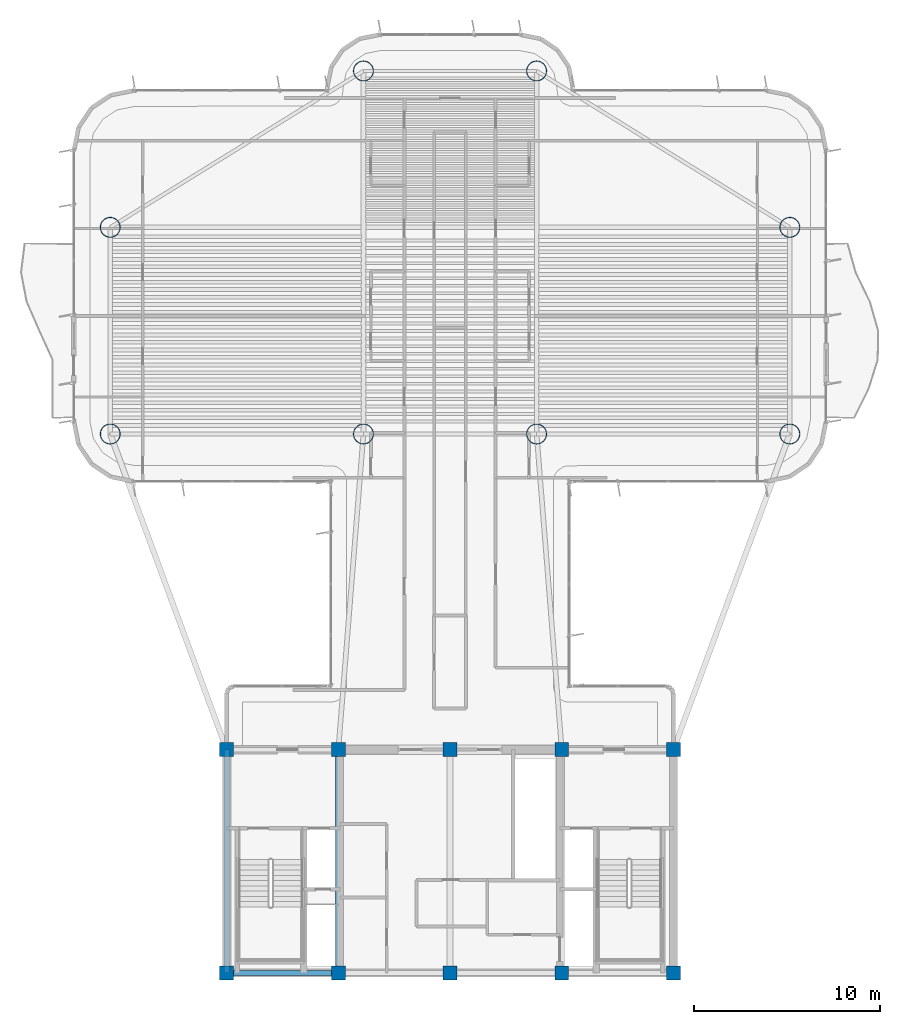
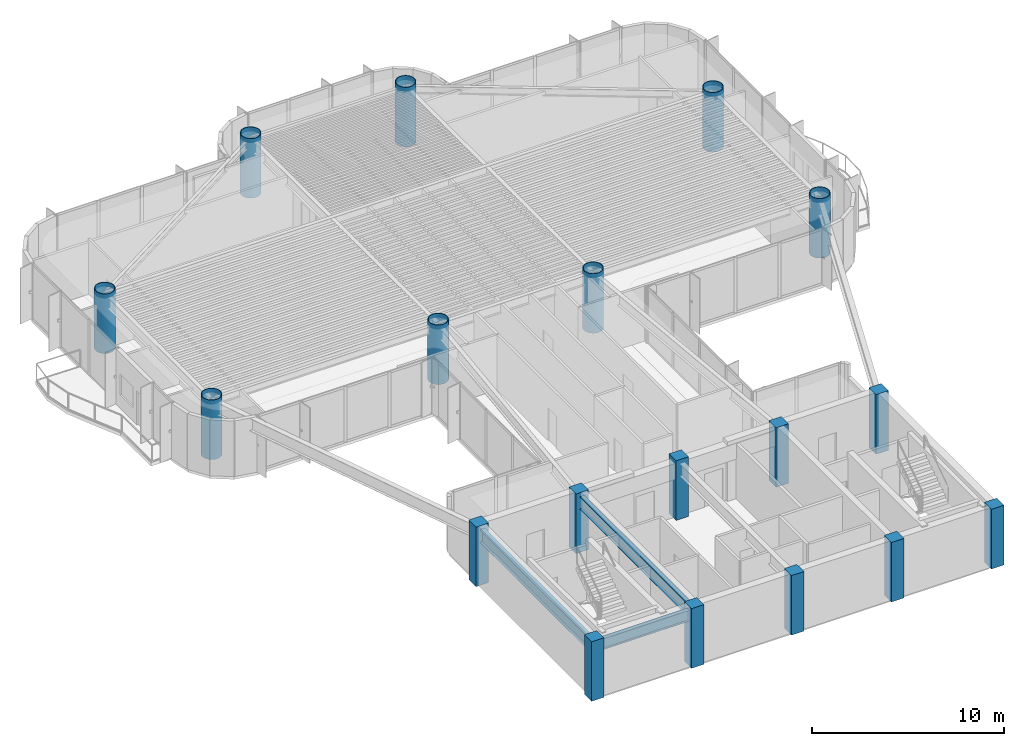
# One storey, part 1 of 15: 18 columns, 3 beams.
"""IFC4 building model written with IfcOpenShell, lengths in metres."""

from ifc_helpers import new_model, si_unit, direction, frame, origin, origin_2d, place, context, subcontext, project, spatial, rectangle, hollow_circle, i_section, extrude, source, transform, mapped, material, material_profile, profile_set, type_object, element, save


model = new_model("IFC4")

# Units and contexts
model_context = context("Model", 3, precision=1e-05, world=origin(), true_north=direction((0.0, 1.0)))
body_context = subcontext(model_context, "Body", "Model", "MODEL_VIEW")
ifc_project = project(units=[si_unit("LENGTHUNIT", "METRE"), si_unit("AREAUNIT", "SQUARE_METRE"), si_unit("VOLUMEUNIT", "CUBIC_METRE"), si_unit("PLANEANGLEUNIT", "RADIAN"), si_unit("MASSUNIT", "GRAM", prefix="KILO")], contexts=[model_context])

# Site, building, storey
site_placement = place(None, origin())
site = spatial("IfcSite", under=ifc_project, at=site_placement, CompositionType="ELEMENT")
building_placement = place(site_placement, origin())
building = spatial("IfcBuilding", under=site, at=building_placement, Name="Brelvock Crest Care Tower", CompositionType="ELEMENT")
storey_placement = place(building_placement, frame((0.0, 0.0, 160.199951171875)))
storey = spatial("IfcBuildingStorey", under=building, at=storey_placement, Name="L40", CompositionType="ELEMENT", Elevation=160.199951171875)

# Columns
ifc_material_1 = material(Name="Concrete S65 (65 MPa)", Category="concrete")
ifc_material_profile_1 = material_profile(ifc_material_1, rectangle(XDim=0.75, YDim=0.75, at=origin_2d()), Name="RC750x750")
ifc_profile_set_1 = profile_set([ifc_material_profile_1], Name="Concrete S65 (65 MPa)")
column_type_1 = type_object("IfcColumnType", Name="COL-RC3", PredefinedType="COLUMN", material=ifc_profile_set_1)
shared_shape_1 = source(origin(), body_context, "Body", "SweptSolid", [
    extrude(rectangle(XDim=0.75, YDim=0.75, at=origin_2d()), origin(), (0.0, 0.0, 1.0), 3.780029296875),
])
for number, where, z_axis, x_axis, name in (
    (1, (24.0, 6.0, 0.0), (0.0, 0.0, 1.0), (1.0, 0.0, 0.0), "L40 Core Column CC-01"),
    (2, (30.0, 6.0, 0.0), (0.0, 0.0, 1.0), (1.0, 0.0, 0.0), "L40 Core Column CC-02"),
    (3, (36.0, 6.0, 0.0), (0.0, 0.0, 1.0), (1.0, 0.0, 0.0), "L40 Core Column CC-03"),
    (4, (42.0, 6.0, 0.0), (0.0, 0.0, 1.0), (1.0, 0.0, 0.0), "L40 Core Column CC-04"),
    (5, (48.0, 6.0, 0.0), (0.0, 0.0, 1.0), (1.0, 0.0, 0.0), "L40 Core Column CC-05"),
    (6, (24.0, 18.0, 0.0), (0.0, 0.0, 1.0), (1.0, 0.0, 0.0), "L40 Core Column CC-06"),
    (7, (30.0, 18.0, 0.0), (0.0, 0.0, 1.0), (1.0, 0.0, 0.0), "L40 Core Column CC-07"),
    (8, (36.0, 18.0, 0.0), (0.0, 0.0, 1.0), (1.0, 0.0, 0.0), "L40 Core Column CC-08"),
    (9, (42.0, 18.0, 0.0), (0.0, 0.0, 1.0), (1.0, 0.0, 0.0), "L40 Core Column CC-09"),
    (10, (48.0, 18.0, 0.0), (0.0, 0.0, 1.0), (1.0, 0.0, 0.0), "L40 Core Column CC-10"),
):
    element("IfcColumn", number, at=place(storey_placement, frame(where, z_axis=z_axis, x_axis=x_axis)), inside=storey, type_object=column_type_1, Name=name, PredefinedType="COLUMN", context=body_context, shape_type="MappedRepresentation", body=[
        mapped(shared_shape_1, transform((0.0, 0.0, 0.0), x_axis=(1.0, 0.0, 0.0), y_axis=(0.0, 1.0, 0.0), z_axis=(0.0, 0.0, 1.0), scale=1.0)),
    ])
ifc_material_2 = material(Name="Steel Grade 350", Category="steel")
ifc_material_profile_2 = material_profile(ifc_material_2, hollow_circle(Radius=0.550048828125, WallThickness=0.0400390625, at=origin_2d()), Name="CFT1100x40")
ifc_profile_set_2 = profile_set([ifc_material_profile_2], Name="Steel Grade 350")
column_type_2 = type_object("IfcColumnType", Name="COL-MC3", PredefinedType="COLUMN", material=ifc_profile_set_2)
shared_shape_2 = source(origin(), body_context, "Body", "SweptSolid", [
    extrude(hollow_circle(Radius=0.550048828125, WallThickness=0.0400390625, at=origin_2d()), origin(), (0.0, 0.0, 1.0), 3.780029296875),
])
for number, where, z_axis, x_axis, name in (
    (11, (17.75, 34.949951171875, 0.0), (0.0, 0.0, 1.0), (1.0, 0.0, 0.0), "L40 Tower Column M1"),
    (12, (17.75, 46.050048828125, 0.0), (0.0, 0.0, 1.0), (1.0, 0.0, 0.0), "L40 Tower Column M2"),
    (13, (54.25, 34.949951171875, 0.0), (0.0, 0.0, 1.0), (1.0, 0.0, 0.0), "L40 Tower Column M3"),
    (14, (54.25, 46.050048828125, 0.0), (0.0, 0.0, 1.0), (1.0, 0.0, 0.0), "L40 Tower Column M4"),
    (15, (31.35009765625, 34.949951171875, 0.0), (0.0, 0.0, 1.0), (1.0, 0.0, 0.0), "L40 Tower Column M5"),
    (16, (40.64990234375, 34.949951171875, 0.0), (0.0, 0.0, 1.0), (1.0, 0.0, 0.0), "L40 Tower Column M6"),
    (17, (31.35009765625, 54.449951171875, 0.0), (0.0, 0.0, 1.0), (1.0, 0.0, 0.0), "L40 Tower Column M7"),
    (18, (40.64990234375, 54.449951171875, 0.0), (0.0, 0.0, 1.0), (1.0, 0.0, 0.0), "L40 Tower Column M8"),
):
    element("IfcColumn", number, at=place(storey_placement, frame(where, z_axis=z_axis, x_axis=x_axis)), inside=storey, type_object=column_type_2, Name=name, PredefinedType="COLUMN", context=body_context, shape_type="MappedRepresentation", body=[
        mapped(shared_shape_2, transform((0.0, 0.0, 0.0), x_axis=(1.0, 0.0, 0.0), y_axis=(0.0, 1.0, 0.0), z_axis=(0.0, 0.0, 1.0), scale=1.0)),
    ])

# Beams
ifc_material_profile_3 = material_profile(ifc_material_2, i_section(OverallWidth=0.25, OverallDepth=0.699951171875, WebThickness=0.011962890625, FlangeThickness=0.02001953125, at=origin_2d()), Name="700WB150")
ifc_profile_set_3 = profile_set([ifc_material_profile_3], Name="Steel Grade 350")
beam_type_1 = type_object("IfcBeamType", Name="BM-G4", PredefinedType="BEAM", material=ifc_profile_set_3)
shared_shape_3 = source(origin(), body_context, "Body", "SweptSolid", [
    extrude(i_section(OverallWidth=0.25, OverallDepth=0.699951171875, WebThickness=0.011962890625, FlangeThickness=0.02001953125, at=origin_2d()), origin(), (0.0, 0.0, 1.0), 6.0),
])
beam_placement = place(storey_placement, frame((24.0, 6.0, 3.179931640625), z_axis=(1.0, 0.0, 0.0), x_axis=(0.0, 1.0, 0.0)))
element("IfcBeam", 19, at=beam_placement, inside=storey, type_object=beam_type_1, Name="BM-CORES-L40-1", PredefinedType="BEAM", context=body_context, shape_type="MappedRepresentation", body=[
    mapped(shared_shape_3, transform((0.0, 0.0, 0.0), x_axis=(1.0, 0.0, 0.0), y_axis=(0.0, 1.0, 0.0), z_axis=(0.0, 0.0, 1.0), scale=1.0)),
])
ifc_material_profile_4 = material_profile(ifc_material_2, i_section(OverallWidth=0.300048828125, OverallDepth=0.800048828125, WebThickness=0.013916015625, FlangeThickness=0.02197265625, at=origin_2d()), Name="800WB192")
ifc_profile_set_4 = profile_set([ifc_material_profile_4], Name="Steel Grade 350")
beam_type_2 = type_object("IfcBeamType", Name="BM-G5", PredefinedType="BEAM", material=ifc_profile_set_4)
shared_shape_4 = source(origin(), body_context, "Body", "SweptSolid", [
    extrude(i_section(OverallWidth=0.300048828125, OverallDepth=0.800048828125, WebThickness=0.013916015625, FlangeThickness=0.02197265625, at=origin_2d()), origin(), (0.0, 0.0, 1.0), 12.0),
])
for number, where, z_axis, x_axis, name in (
    (20, (24.0, 6.0, 3.130126953125), (0.0, 1.0, 0.0), (-1.0, 0.0, 0.0), "BM-COREX-L40-1"),
    (21, (30.0, 6.0, 3.130126953125), (0.0, 1.0, 0.0), (-1.0, 0.0, 0.0), "BM-COREX-L40-2"),
):
    element("IfcBeam", number, at=place(storey_placement, frame(where, z_axis=z_axis, x_axis=x_axis)), inside=storey, type_object=beam_type_2, Name=name, PredefinedType="BEAM", context=body_context, shape_type="MappedRepresentation", body=[
        mapped(shared_shape_4, transform((0.0, 0.0, 0.0), x_axis=(1.0, 0.0, 0.0), y_axis=(0.0, 1.0, 0.0), z_axis=(0.0, 0.0, 1.0), scale=1.0)),
    ])

save(model, "model.ifc")
